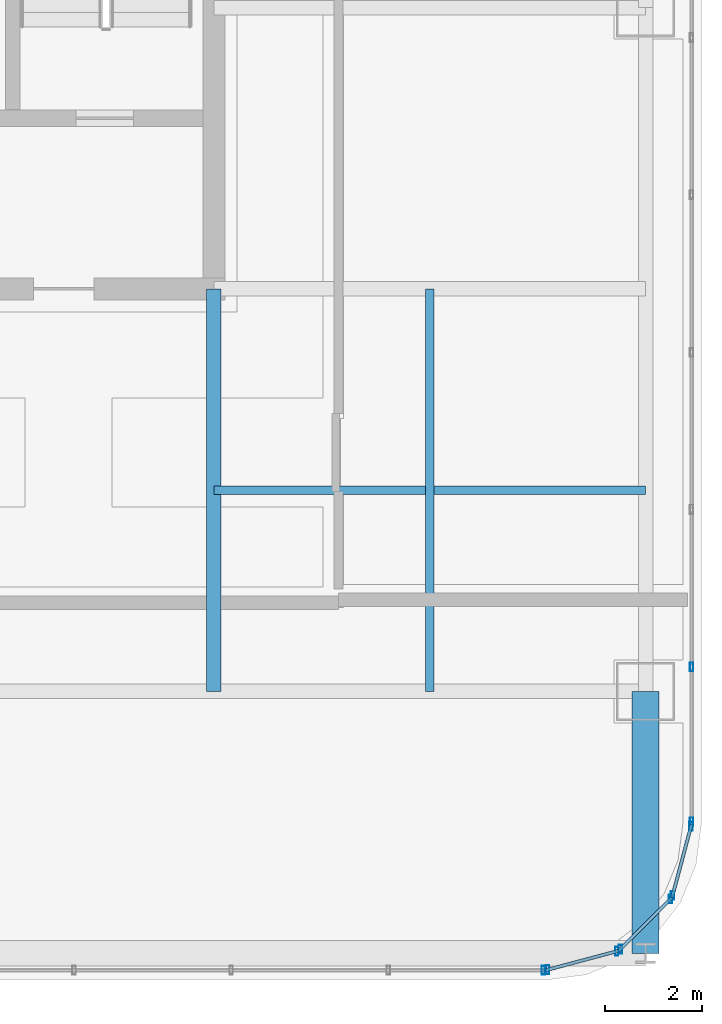
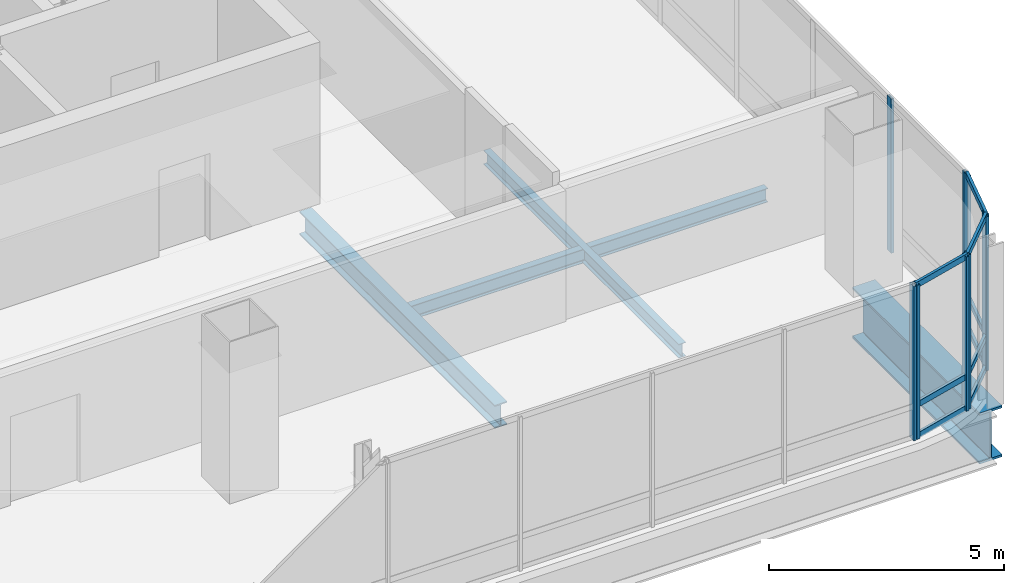
# One storey, part 18 of 42: 18 members, 4 beams, 5 elements without a shape of their own.
"""IFC4 building model written with IfcOpenShell, lengths in metres."""

from ifc_helpers import new_model, si_unit, direction, frame, origin, origin_2d, place, context, subcontext, project, spatial, hollow_rectangle, i_section, extrude, material, material_profile, profile_set, type_object, element, aggregate, save


model = new_model("IFC4")

# Units and contexts
model_context = context("Model", 3, precision=1e-05, world=origin(), true_north=direction((0.0, 1.0)))
body_context = subcontext(model_context, "Body", "Model", "MODEL_VIEW")
ifc_project = project(units=[si_unit("LENGTHUNIT", "METRE"), si_unit("AREAUNIT", "SQUARE_METRE"), si_unit("VOLUMEUNIT", "CUBIC_METRE"), si_unit("PLANEANGLEUNIT", "RADIAN"), si_unit("MASSUNIT", "GRAM", prefix="KILO")], contexts=[model_context])

# Site, building, storey
site_placement = place(None, origin())
site = spatial("IfcSite", under=ifc_project, at=site_placement, CompositionType="ELEMENT")
building_placement = place(site_placement, origin())
building = spatial("IfcBuilding", under=site, at=building_placement, Name="Punatoya Terracotta Tower", CompositionType="ELEMENT")
storey_placement = place(building_placement, frame((0.0, 0.0, 325.800048828125)))
storey = spatial("IfcBuildingStorey", under=building, at=storey_placement, Name="L77", CompositionType="ELEMENT", Elevation=325.800048828125)

# Beams
ifc_material_1 = material(Name="Steel S355", Category="steel")
ifc_material_profile_1 = material_profile(ifc_material_1, i_section(OverallWidth=0.300048828125, OverallDepth=0.60009765625, WebThickness=0.015380859375, FlangeThickness=0.030029296875, FilletRadius=0.01806640625, at=origin_2d()))
ifc_profile_set_1 = profile_set([ifc_material_profile_1], Name="Steel S355")
beam_type_1 = type_object("IfcBeamType", Name="BM-PRI-600", PredefinedType="BEAM", material=ifc_profile_set_1)
beam_1_placement = place(storey_placement, frame((10.199951171875, -17.5, -0.5), z_axis=(0.0, 1.0, 0.0), x_axis=(-1.0, 0.0, 0.0)))
element("IfcBeam", 1, at=beam_1_placement, inside=storey, type_object=beam_type_1, Name="BM-L77-PR-S4", PredefinedType="BEAM", context=body_context, shape_type="SweptSolid", body=[
    extrude(i_section(OverallWidth=0.300048828125, OverallDepth=0.60009765625, WebThickness=0.015380859375, FlangeThickness=0.030029296875, FilletRadius=0.01806640625, at=origin_2d()), origin(), (0.0, 0.0, 1.0), 8.300048828125),
])
ifc_material_profile_2 = material_profile(ifc_material_1, i_section(OverallWidth=0.169921875, OverallDepth=0.360107421875, WebThickness=0.008056640625, FlangeThickness=0.0126953125, FilletRadius=0.01806640625, at=origin_2d()))
ifc_profile_set_2 = profile_set([ifc_material_profile_2], Name="Steel S355")
beam_type_2 = type_object("IfcBeamType", Name="BM-SEC-360", PredefinedType="JOIST", material=ifc_profile_set_2)
beam_2_placement = place(storey_placement, frame((10.199951171875, -13.35009765625, -0.380126953125), z_axis=(1.0, 0.0, 0.0), x_axis=(0.0, 1.0, 0.0)))
element("IfcBeam", 2, at=beam_2_placement, inside=storey, type_object=beam_type_2, Name="BM-L77-SJS-2", PredefinedType="JOIST", context=body_context, shape_type="SweptSolid", body=[
    extrude(i_section(OverallWidth=0.169921875, OverallDepth=0.360107421875, WebThickness=0.008056640625, FlangeThickness=0.0126953125, FilletRadius=0.01806640625, at=origin_2d()), origin(), (0.0, 0.0, 1.0), 8.900146484375),
])
beam_3_placement = place(storey_placement, frame((14.64990234375, -17.5, -0.380126953125), z_axis=(0.0, 1.0, 0.0), x_axis=(-1.0, 0.0, 0.0)))
element("IfcBeam", 3, at=beam_3_placement, inside=storey, type_object=beam_type_2, Name="BM-L77-SJE-1", PredefinedType="JOIST", context=body_context, shape_type="SweptSolid", body=[
    extrude(i_section(OverallWidth=0.169921875, OverallDepth=0.360107421875, WebThickness=0.008056640625, FlangeThickness=0.0126953125, FilletRadius=0.01806640625, at=origin_2d()), origin(), (0.0, 0.0, 1.0), 8.300048828125),
])
ifc_material_2 = material(Name="Steel S460", Category="steel")
ifc_material_profile_3 = material_profile(ifc_material_2, i_section(OverallWidth=0.56005859375, OverallDepth=1.320068359375, WebThickness=0.035888671875, FlangeThickness=0.054931640625, FilletRadius=0.01806640625, at=origin_2d()))
ifc_profile_set_3 = profile_set([ifc_material_profile_3], Name="Steel S460")
beam_type_3 = type_object("IfcBeamType", Name="BM-TG-BLK", PredefinedType="BEAM", material=ifc_profile_set_3)
beam_4_placement = place(storey_placement, frame((19.10009765625, -22.89990234375, -0.860107421875), z_axis=(0.0, 1.0, 0.0), x_axis=(-1.0, 0.0, 0.0)))
element("IfcBeam", 4, at=beam_4_placement, inside=storey, type_object=beam_type_3, Name="BM-L77-CANT-S4", PredefinedType="BEAM", context=body_context, shape_type="SweptSolid", body=[
    extrude(i_section(OverallWidth=0.56005859375, OverallDepth=1.320068359375, WebThickness=0.035888671875, FlangeThickness=0.054931640625, FilletRadius=0.01806640625, at=origin_2d()), origin(), (0.0, 0.0, 1.0), 5.39990234375),
])

# Curtain wall, member
ifc_material_3 = material(Name="Aluminium 6063-T6 + Double Low-E Glass", Category="aluminium")
curtain_wall_type = type_object("IfcCurtainWallType", Name="CW-OBS", PredefinedType="NOTDEFINED", material=ifc_material_3)
curtain_wall_1_placement = place(storey_placement, origin())
curtain_wall_1 = element("IfcCurtainWall", 5, at=curtain_wall_1_placement, inside=storey, type_object=curtain_wall_type, Name="L77 Curtain Wall CW-L77-S01-1", PredefinedType="NOTDEFINED")
ifc_material_4 = material(Name="Aluminium 6063-T6", Category="aluminium")
ifc_material_profile_4 = material_profile(ifc_material_4, hollow_rectangle(XDim=0.070068359375, YDim=0.179931640625, WallThickness=0.00390625, at=origin_2d()))
ifc_profile_set_4 = profile_set([ifc_material_profile_4], Name="Aluminium 6063-T6")
member_type_1 = type_object("IfcMemberType", Name="CW-MUL-M3", PredefinedType="MULLION", material=ifc_profile_set_4)
member_1_placement = place(storey_placement, frame((16.991943359375, -23.25, 0.0), z_axis=(0.0, 0.0, 1.0), x_axis=(1.0, 0.0, 0.0)))
member_1 = element("IfcMember", 6, at=member_1_placement, type_object=member_type_1, Name="CW-L77-S01-1 Mullion 12", PredefinedType="MULLION", context=body_context, shape_type="SweptSolid", body=[
    extrude(hollow_rectangle(XDim=0.070068359375, YDim=0.179931640625, WallThickness=0.00390625, at=origin_2d()), origin(), (0.0, 0.0, 1.0), 4.0),
])
aggregate(curtain_wall_1, [member_1])

# Curtain wall, members
curtain_wall_2_placement = place(storey_placement, origin())
curtain_wall_2 = element("IfcCurtainWall", 7, at=curtain_wall_2_placement, inside=storey, type_object=curtain_wall_type, Name="L77 Curtain Wall CW-L77-CRN02", PredefinedType="NOTDEFINED")
member_2_placement = place(storey_placement, frame((17.080322265625, -23.23828125, 0.0), z_axis=(0.0, 0.0, 1.0), x_axis=(1.0, 0.0, 0.0)))
member_2 = element("IfcMember", 8, at=member_2_placement, type_object=member_type_1, Name="CW-L77-CRN02 Mullion 00", PredefinedType="MULLION", context=body_context, shape_type="SweptSolid", body=[
    extrude(hollow_rectangle(XDim=0.070068359375, YDim=0.179931640625, WallThickness=0.00390625, at=origin_2d()), origin(), (0.0, 0.0, 1.0), 4.0),
])
member_3_placement = place(storey_placement, frame((18.505615234375, -22.858154296875, 0.0), z_axis=(0.0, 0.0, 1.0), x_axis=(1.0, 0.0, 0.0)))
member_3 = element("IfcMember", 9, at=member_3_placement, type_object=member_type_1, Name="CW-L77-CRN02 Mullion 01", PredefinedType="MULLION", context=body_context, shape_type="SweptSolid", body=[
    extrude(hollow_rectangle(XDim=0.070068359375, YDim=0.179931640625, WallThickness=0.00390625, at=origin_2d()), origin(), (0.0, 0.0, 1.0), 4.0),
])

curtain_wall_3_placement = place(storey_placement, origin())
curtain_wall_3 = element("IfcCurtainWall", 10, at=curtain_wall_3_placement, inside=storey, type_object=curtain_wall_type, Name="L77 Curtain Wall CW-L77-CRN03", PredefinedType="NOTDEFINED")
member_4_placement = place(storey_placement, frame((18.580810546875, -22.814697265625, 0.0), z_axis=(0.0, 0.0, 1.0), x_axis=(1.0, 0.0, 0.0)))
member_4 = element("IfcMember", 11, at=member_4_placement, type_object=member_type_1, Name="CW-L77-CRN03 Mullion 00", PredefinedType="MULLION", context=body_context, shape_type="SweptSolid", body=[
    extrude(hollow_rectangle(XDim=0.070068359375, YDim=0.179931640625, WallThickness=0.00390625, at=origin_2d()), origin(), (0.0, 0.0, 1.0), 4.0),
])
member_5_placement = place(storey_placement, frame((19.61474609375, -21.781005859375, 0.0), z_axis=(0.0, 0.0, 1.0), x_axis=(1.0, 0.0, 0.0)))
member_5 = element("IfcMember", 12, at=member_5_placement, type_object=member_type_1, Name="CW-L77-CRN03 Mullion 01", PredefinedType="MULLION", context=body_context, shape_type="SweptSolid", body=[
    extrude(hollow_rectangle(XDim=0.070068359375, YDim=0.179931640625, WallThickness=0.00390625, at=origin_2d()), origin(), (0.0, 0.0, 1.0), 4.0),
])

curtain_wall_4_placement = place(storey_placement, origin())
curtain_wall_4 = element("IfcCurtainWall", 13, at=curtain_wall_4_placement, inside=storey, type_object=curtain_wall_type, Name="L77 Curtain Wall CW-L77-CRN04", PredefinedType="NOTDEFINED")
member_6_placement = place(storey_placement, frame((19.658203125, -21.70556640625, 0.0), z_axis=(0.0, 0.0, 1.0), x_axis=(1.0, 0.0, 0.0)))
member_6 = element("IfcMember", 14, at=member_6_placement, type_object=member_type_1, Name="CW-L77-CRN04 Mullion 00", PredefinedType="MULLION", context=body_context, shape_type="SweptSolid", body=[
    extrude(hollow_rectangle(XDim=0.070068359375, YDim=0.179931640625, WallThickness=0.00390625, at=origin_2d()), origin(), (0.0, 0.0, 1.0), 4.0),
])
member_7_placement = place(storey_placement, frame((20.038330078125, -20.280517578125, 0.0), z_axis=(0.0, 0.0, 1.0), x_axis=(1.0, 0.0, 0.0)))
member_7 = element("IfcMember", 15, at=member_7_placement, type_object=member_type_1, Name="CW-L77-CRN04 Mullion 01", PredefinedType="MULLION", context=body_context, shape_type="SweptSolid", body=[
    extrude(hollow_rectangle(XDim=0.070068359375, YDim=0.179931640625, WallThickness=0.00390625, at=origin_2d()), origin(), (0.0, 0.0, 1.0), 4.0),
])

curtain_wall_5_placement = place(storey_placement, origin())
curtain_wall_5 = element("IfcCurtainWall", 16, at=curtain_wall_5_placement, inside=storey, type_object=curtain_wall_type, Name="L77 Curtain Wall CW-L77-E05-1", PredefinedType="NOTDEFINED")
member_8_placement = place(storey_placement, frame((20.050048828125, -20.19189453125, 0.0), z_axis=(0.0, 0.0, 1.0), x_axis=(1.0, 0.0, 0.0)))
member_8 = element("IfcMember", 17, at=member_8_placement, type_object=member_type_1, Name="CW-L77-E05-1 Mullion 00", PredefinedType="MULLION", context=body_context, shape_type="SweptSolid", body=[
    extrude(hollow_rectangle(XDim=0.070068359375, YDim=0.179931640625, WallThickness=0.00390625, at=origin_2d()), origin(), (0.0, 0.0, 1.0), 4.0),
])
member_9_placement = place(storey_placement, frame((20.050048828125, -16.993896484375, 0.0), z_axis=(0.0, 0.0, 1.0), x_axis=(1.0, 0.0, 0.0)))
member_9 = element("IfcMember", 18, at=member_9_placement, type_object=member_type_1, Name="CW-L77-E05-1 Mullion 01", PredefinedType="MULLION", context=body_context, shape_type="SweptSolid", body=[
    extrude(hollow_rectangle(XDim=0.070068359375, YDim=0.179931640625, WallThickness=0.00390625, at=origin_2d()), origin(), (0.0, 0.0, 1.0), 4.0),
])
aggregate(curtain_wall_5, [member_8, member_9])

# Member
ifc_material_profile_5 = material_profile(ifc_material_4, hollow_rectangle(XDim=0.068115234375, YDim=0.14990234375, WallThickness=0.00390625, at=origin_2d()))
ifc_profile_set_5 = profile_set([ifc_material_profile_5], Name="Aluminium 6063-T6")
member_type_2 = type_object("IfcMemberType", Name="CW-TRN-TYP", PredefinedType="USERDEFINED", material=ifc_profile_set_5)
member_10_placement = place(storey_placement, frame((17.036865234375, -23.25, 0.0400390625), z_axis=(0.966224582397, 0.257701486942, 0.0), x_axis=(-0.257701486942, 0.966224582397, 0.0)))
member_10 = element("IfcMember", 19, at=member_10_placement, type_object=member_type_2, Name="CW-L77-CRN02 Transom 1", ObjectType="TRANSOM", PredefinedType="USERDEFINED", context=body_context, shape_type="SweptSolid", body=[
    extrude(hollow_rectangle(XDim=0.068115234375, YDim=0.14990234375, WallThickness=0.00390625, at=origin_2d()), origin(), (0.0, 0.0, 1.0), 1.565185546875),
])

member_11_placement = place(storey_placement, frame((17.036865234375, -23.25, 0.849853515625), z_axis=(0.966224582397, 0.257701486942, 0.0), x_axis=(-0.257701486942, 0.966224582397, 0.0)))
member_11 = element("IfcMember", 20, at=member_11_placement, type_object=member_type_2, Name="CW-L77-CRN02 Transom 2", ObjectType="TRANSOM", PredefinedType="USERDEFINED", context=body_context, shape_type="SweptSolid", body=[
    extrude(hollow_rectangle(XDim=0.068115234375, YDim=0.14990234375, WallThickness=0.00390625, at=origin_2d()), origin(), (0.0, 0.0, 1.0), 1.565185546875),
])

member_12_placement = place(storey_placement, frame((17.036865234375, -23.25, 3.9599609375), z_axis=(0.966224582397, 0.257701486942, 0.0), x_axis=(-0.257701486942, 0.966224582397, 0.0)))
member_12 = element("IfcMember", 21, at=member_12_placement, type_object=member_type_2, Name="CW-L77-CRN02 Transom 3", ObjectType="TRANSOM", PredefinedType="USERDEFINED", context=body_context, shape_type="SweptSolid", body=[
    extrude(hollow_rectangle(XDim=0.068115234375, YDim=0.14990234375, WallThickness=0.00390625, at=origin_2d()), origin(), (0.0, 0.0, 1.0), 1.565185546875),
])

aggregate(curtain_wall_2, [member_2, member_3, member_10, member_11, member_12])

member_13_placement = place(storey_placement, frame((18.549072265625, -22.8466796875, 0.0400390625), z_axis=(0.707028130747, 0.707185422879, 0.0), x_axis=(-0.707185422879, 0.707028130747, 0.0)))
member_13 = element("IfcMember", 22, at=member_13_placement, type_object=member_type_2, Name="CW-L77-CRN03 Transom 1", ObjectType="TRANSOM", PredefinedType="USERDEFINED", context=body_context, shape_type="SweptSolid", body=[
    extrude(hollow_rectangle(XDim=0.068115234375, YDim=0.14990234375, WallThickness=0.00390625, at=origin_2d()), origin(), (0.0, 0.0, 1.0), 1.55224609375),
])

member_14_placement = place(storey_placement, frame((18.549072265625, -22.8466796875, 0.849853515625), z_axis=(0.707028130747, 0.707185422879, 0.0), x_axis=(-0.707185422879, 0.707028130747, 0.0)))
member_14 = element("IfcMember", 23, at=member_14_placement, type_object=member_type_2, Name="CW-L77-CRN03 Transom 2", ObjectType="TRANSOM", PredefinedType="USERDEFINED", context=body_context, shape_type="SweptSolid", body=[
    extrude(hollow_rectangle(XDim=0.068115234375, YDim=0.14990234375, WallThickness=0.00390625, at=origin_2d()), origin(), (0.0, 0.0, 1.0), 1.55224609375),
])

member_15_placement = place(storey_placement, frame((18.549072265625, -22.8466796875, 3.9599609375), z_axis=(0.707028130747, 0.707185422879, 0.0), x_axis=(-0.707185422879, 0.707028130747, 0.0)))
member_15 = element("IfcMember", 24, at=member_15_placement, type_object=member_type_2, Name="CW-L77-CRN03 Transom 3", ObjectType="TRANSOM", PredefinedType="USERDEFINED", context=body_context, shape_type="SweptSolid", body=[
    extrude(hollow_rectangle(XDim=0.068115234375, YDim=0.14990234375, WallThickness=0.00390625, at=origin_2d()), origin(), (0.0, 0.0, 1.0), 1.55224609375),
])

aggregate(curtain_wall_3, [member_4, member_5, member_13, member_14, member_15])

member_16_placement = place(storey_placement, frame((19.646484375, -21.7490234375, 0.0400390625), z_axis=(0.257847112249, 0.966185730957, 0.0), x_axis=(-0.966185730957, 0.257847112249, 0.0)))
member_16 = element("IfcMember", 25, at=member_16_placement, type_object=member_type_2, Name="CW-L77-CRN04 Transom 1", ObjectType="TRANSOM", PredefinedType="USERDEFINED", context=body_context, shape_type="SweptSolid", body=[
    extrude(hollow_rectangle(XDim=0.068115234375, YDim=0.14990234375, WallThickness=0.00390625, at=origin_2d()), origin(), (0.0, 0.0, 1.0), 1.565185546875),
])

member_17_placement = place(storey_placement, frame((19.646484375, -21.7490234375, 0.849853515625), z_axis=(0.257847112249, 0.966185730957, 0.0), x_axis=(-0.966185730957, 0.257847112249, 0.0)))
member_17 = element("IfcMember", 26, at=member_17_placement, type_object=member_type_2, Name="CW-L77-CRN04 Transom 2", ObjectType="TRANSOM", PredefinedType="USERDEFINED", context=body_context, shape_type="SweptSolid", body=[
    extrude(hollow_rectangle(XDim=0.068115234375, YDim=0.14990234375, WallThickness=0.00390625, at=origin_2d()), origin(), (0.0, 0.0, 1.0), 1.565185546875),
])

member_18_placement = place(storey_placement, frame((19.646484375, -21.7490234375, 3.9599609375), z_axis=(0.257847112249, 0.966185730957, 0.0), x_axis=(-0.966185730957, 0.257847112249, 0.0)))
member_18 = element("IfcMember", 27, at=member_18_placement, type_object=member_type_2, Name="CW-L77-CRN04 Transom 3", ObjectType="TRANSOM", PredefinedType="USERDEFINED", context=body_context, shape_type="SweptSolid", body=[
    extrude(hollow_rectangle(XDim=0.068115234375, YDim=0.14990234375, WallThickness=0.00390625, at=origin_2d()), origin(), (0.0, 0.0, 1.0), 1.565185546875),
])

aggregate(curtain_wall_4, [member_6, member_7, member_16, member_17, member_18])

save(model, "model.ifc")
